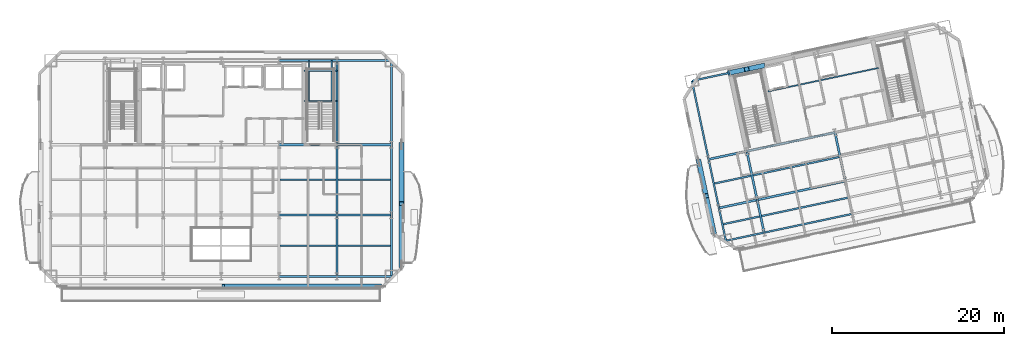
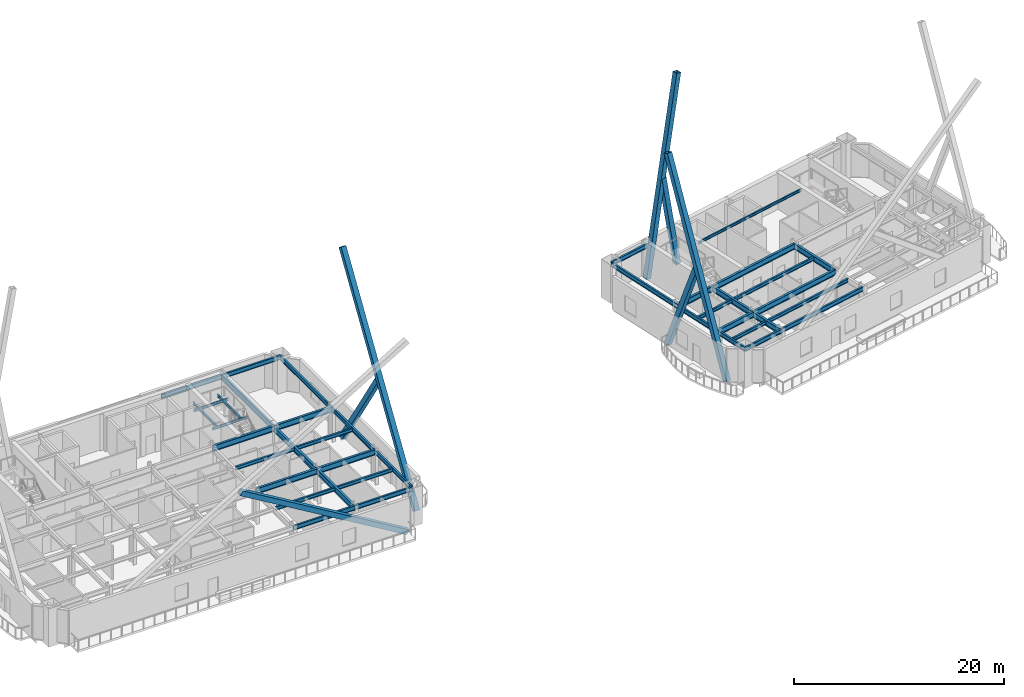
# One storey, part 5 of 22: 40 beams, 7 members.
"""IFC4 building model written with IfcOpenShell, lengths in metres."""

from ifc_helpers import new_model, si_unit, direction, frame, origin, origin_2d, place, context, subcontext, project, spatial, hollow_rectangle, i_section, extrude, material, material_profile, profile_set, type_object, element, save


model = new_model("IFC4")

# Units and contexts
model_context = context("Model", 3, precision=1e-05, world=origin(), true_north=direction((0.0, 1.0)))
body_context = subcontext(model_context, "Body", "Model", "MODEL_VIEW")
ifc_project = project(units=[si_unit("LENGTHUNIT", "METRE"), si_unit("AREAUNIT", "SQUARE_METRE"), si_unit("VOLUMEUNIT", "CUBIC_METRE"), si_unit("PLANEANGLEUNIT", "RADIAN"), si_unit("MASSUNIT", "GRAM", prefix="KILO")], contexts=[model_context])

# Site, building, storey
site_placement = place(None, origin())
site = spatial("IfcSite", under=ifc_project, at=site_placement, CompositionType="ELEMENT")
building_placement = place(site_placement, origin())
building = spatial("IfcBuilding", under=site, at=building_placement, Name="Haevon Station Towers", CompositionType="ELEMENT")
storey_placement = place(building_placement, frame((0.0, 0.0, 133.800048828125)))
storey = spatial("IfcBuildingStorey", under=building, at=storey_placement, Name="L36", CompositionType="ELEMENT", Elevation=133.800048828125)

# Beams
ifc_material_1 = material(Name="Steel S355", Category="steel")
ifc_material_profile_1 = material_profile(ifc_material_1, i_section(OverallWidth=0.25, OverallDepth=0.64990234375, WebThickness=0.012939453125, FlangeThickness=0.02197265625, at=origin_2d()), Name="H-650x250x13x22")
ifc_profile_set_1 = profile_set([ifc_material_profile_1], Name="Steel S355")
beam_type_1 = type_object("IfcBeamType", Name="BM-G650", PredefinedType="BEAM", material=ifc_profile_set_1)
beam_1_placement = place(storey_placement, frame((44.25, 30.0, 3.594970703125), z_axis=(1.0, 0.0, 0.0), x_axis=(0.0, 1.0, 0.0)))
element("IfcBeam", 1, at=beam_1_placement, inside=storey, type_object=beam_type_1, Name="BM-T1U-L36-02-05", PredefinedType="BEAM", context=body_context, shape_type="SweptSolid", body=[
    extrude(i_section(OverallWidth=0.25, OverallDepth=0.64990234375, WebThickness=0.012939453125, FlangeThickness=0.02197265625, at=origin_2d()), origin(), (0.0, 0.0, 1.0), 6.75),
])
beam_2_placement = place(storey_placement, frame((51.0, 30.0, 3.594970703125), z_axis=(1.0, 0.0, 0.0), x_axis=(0.0, 1.0, 0.0)))
element("IfcBeam", 2, at=beam_2_placement, inside=storey, type_object=beam_type_1, Name="BM-T1U-L36-02-06", PredefinedType="BEAM", context=body_context, shape_type="SweptSolid", body=[
    extrude(i_section(OverallWidth=0.25, OverallDepth=0.64990234375, WebThickness=0.012939453125, FlangeThickness=0.02197265625, at=origin_2d()), origin(), (0.0, 0.0, 1.0), 6.35009765625),
])
beam_3_placement = place(storey_placement, frame((44.25, 38.199951171875, 3.594970703125), z_axis=(1.0, 0.0, 0.0), x_axis=(0.0, 1.0, 0.0)))
element("IfcBeam", 3, at=beam_3_placement, inside=storey, type_object=beam_type_1, Name="BM-T1U-L36-03-05", PredefinedType="BEAM", context=body_context, shape_type="SweptSolid", body=[
    extrude(i_section(OverallWidth=0.25, OverallDepth=0.64990234375, WebThickness=0.012939453125, FlangeThickness=0.02197265625, at=origin_2d()), origin(), (0.0, 0.0, 1.0), 6.75),
])
beam_4_placement = place(storey_placement, frame((51.0, 38.199951171875, 3.594970703125), z_axis=(1.0, 0.0, 0.0), x_axis=(0.0, 1.0, 0.0)))
element("IfcBeam", 4, at=beam_4_placement, inside=storey, type_object=beam_type_1, Name="BM-T1U-L36-03-06", PredefinedType="BEAM", context=body_context, shape_type="SweptSolid", body=[
    extrude(i_section(OverallWidth=0.25, OverallDepth=0.64990234375, WebThickness=0.012939453125, FlangeThickness=0.02197265625, at=origin_2d()), origin(), (0.0, 0.0, 1.0), 6.35009765625),
])
beam_5_placement = place(storey_placement, frame((51.0, 22.85009765625, 3.594970703125), z_axis=(0.0, 1.0, 0.0), x_axis=(-1.0, 0.0, 0.0)))
element("IfcBeam", 5, at=beam_5_placement, inside=storey, type_object=beam_type_1, Name="BM-T1V-L36-06-01", PredefinedType="BEAM", context=body_context, shape_type="SweptSolid", body=[
    extrude(i_section(OverallWidth=0.25, OverallDepth=0.64990234375, WebThickness=0.012939453125, FlangeThickness=0.02197265625, at=origin_2d()), origin(), (0.0, 0.0, 1.0), 7.14990234375),
])
beam_6_placement = place(storey_placement, frame((51.0, 30.0, 3.594970703125), z_axis=(0.0, 1.0, 0.0), x_axis=(-1.0, 0.0, 0.0)))
element("IfcBeam", 6, at=beam_6_placement, inside=storey, type_object=beam_type_1, Name="BM-T1V-L36-06-02", PredefinedType="BEAM", context=body_context, shape_type="SweptSolid", body=[
    extrude(i_section(OverallWidth=0.25, OverallDepth=0.64990234375, WebThickness=0.012939453125, FlangeThickness=0.02197265625, at=origin_2d()), origin(), (0.0, 0.0, 1.0), 8.199951171875),
])
beam_7_placement = place(storey_placement, frame((51.0, 38.199951171875, 3.594970703125), z_axis=(0.0, 1.0, 0.0), x_axis=(-1.0, 0.0, 0.0)))
element("IfcBeam", 7, at=beam_7_placement, inside=storey, type_object=beam_type_1, Name="BM-T1V-L36-06-03", PredefinedType="BEAM", context=body_context, shape_type="SweptSolid", body=[
    extrude(i_section(OverallWidth=0.25, OverallDepth=0.64990234375, WebThickness=0.012939453125, FlangeThickness=0.02197265625, at=origin_2d()), origin(), (0.0, 0.0, 1.0), 9.800048828125),
])
beam_8_placement = place(storey_placement, frame((95.507568359375, 30.8232421875, 3.594970703125), z_axis=(0.978157487225, 0.207865173094, 0.0), x_axis=(-0.207865173094, 0.978157487225, 0.0)))
element("IfcBeam", 8, at=beam_8_placement, inside=storey, type_object=beam_type_1, Name="BM-T2U-L36-02-01", PredefinedType="BEAM", context=body_context, shape_type="SweptSolid", body=[
    extrude(i_section(OverallWidth=0.25, OverallDepth=0.64990234375, WebThickness=0.012939453125, FlangeThickness=0.02197265625, at=origin_2d()), origin(), (0.0, 0.0, 1.0), 4.550048828125),
])
beam_9_placement = place(storey_placement, frame((99.958251953125, 31.76904296875, 3.594970703125), z_axis=(0.978146794194, 0.207915485254, 0.0), x_axis=(-0.207915485254, 0.978146794194, 0.0)))
element("IfcBeam", 9, at=beam_9_placement, inside=storey, type_object=beam_type_1, Name="BM-T2U-L36-02-02", PredefinedType="BEAM", context=body_context, shape_type="SweptSolid", body=[
    extrude(i_section(OverallWidth=0.25, OverallDepth=0.64990234375, WebThickness=0.012939453125, FlangeThickness=0.02197265625, at=origin_2d()), origin(), (0.0, 0.0, 1.0), 10.5),
])
beam_10_placement = place(storey_placement, frame((94.3017578125, 36.496337890625, 3.594970703125), z_axis=(0.978146576304, 0.207916510322, 0.0), x_axis=(-0.207916510322, 0.978146576304, 0.0)))
element("IfcBeam", 10, at=beam_10_placement, inside=storey, type_object=beam_type_1, Name="BM-T2U-L36-03-01", PredefinedType="BEAM", context=body_context, shape_type="SweptSolid", body=[
    extrude(i_section(OverallWidth=0.25, OverallDepth=0.64990234375, WebThickness=0.012939453125, FlangeThickness=0.02197265625, at=origin_2d()), origin(), (0.0, 0.0, 1.0), 4.550048828125),
])
beam_11_placement = place(storey_placement, frame((98.75244140625, 37.4423828125, 3.594970703125), z_axis=(0.978146794194, 0.207915485254, 0.0), x_axis=(-0.207915485254, 0.978146794194, 0.0)))
element("IfcBeam", 11, at=beam_11_placement, inside=storey, type_object=beam_type_1, Name="BM-T2U-L36-03-02", PredefinedType="BEAM", context=body_context, shape_type="SweptSolid", body=[
    extrude(i_section(OverallWidth=0.25, OverallDepth=0.64990234375, WebThickness=0.012939453125, FlangeThickness=0.02197265625, at=origin_2d()), origin(), (0.0, 0.0, 1.0), 10.5),
])
beam_12_placement = place(storey_placement, frame((100.76904296875, 27.954345703125, 3.594970703125), z_axis=(-0.207899934746, 0.97815009949, 0.0), x_axis=(-0.97815009949, -0.207899934746, 0.0)))
element("IfcBeam", 12, at=beam_12_placement, inside=storey, type_object=beam_type_1, Name="BM-T2V-L36-02-01", PredefinedType="BEAM", context=body_context, shape_type="SweptSolid", body=[
    extrude(i_section(OverallWidth=0.25, OverallDepth=0.64990234375, WebThickness=0.012939453125, FlangeThickness=0.02197265625, at=origin_2d()), origin(), (0.0, 0.0, 1.0), 3.89990234375),
])
for number, where, z_axis, x_axis, name in (
    (13, (99.958251953125, 31.76904296875, 3.594970703125), (-0.207896009217, 0.97815093383, 0.0), (-0.97815093383, -0.207896009217, 0.0), "BM-T2V-L36-02-02"),
    (14, (110.228759765625, 33.9521484375, 3.594970703125), (-0.207896009217, 0.97815093383, 0.0), (-0.97815093383, -0.207896009217, 0.0), "BM-T2V-L36-03-02"),
):
    element("IfcBeam", number, at=place(storey_placement, frame(where, z_axis=z_axis, x_axis=x_axis)), inside=storey, type_object=beam_type_1, Name=name, PredefinedType="BEAM", context=body_context, shape_type="SweptSolid", body=[
        extrude(i_section(OverallWidth=0.25, OverallDepth=0.64990234375, WebThickness=0.012939453125, FlangeThickness=0.02197265625, at=origin_2d()), origin(), (0.0, 0.0, 1.0), 5.800048828125),
    ])
ifc_material_profile_2 = material_profile(ifc_material_1, i_section(OverallWidth=0.199951171875, OverallDepth=0.39990234375, WebThickness=0.008056640625, FlangeThickness=0.012939453125, at=origin_2d()), Name="H-400x200x8x13")
ifc_profile_set_2 = profile_set([ifc_material_profile_2], Name="Steel S355")
beam_type_2 = type_object("IfcBeamType", Name="BM-J400", PredefinedType="JOIST", material=ifc_profile_set_2)
beam_13_placement = place(storey_placement, frame((44.360107421875, 26.425048828125, 3.719970703125), z_axis=(1.0, 0.0, 0.0), x_axis=(0.0, 1.0, 0.0)))
element("IfcBeam", 15, at=beam_13_placement, inside=storey, type_object=beam_type_2, Name="BM-T1J-L36-01-05", PredefinedType="JOIST", context=body_context, shape_type="SweptSolid", body=[
    extrude(i_section(OverallWidth=0.199951171875, OverallDepth=0.39990234375, WebThickness=0.008056640625, FlangeThickness=0.012939453125, at=origin_2d()), origin(), (0.0, 0.0, 1.0), 6.52978515625),
])
beam_14_placement = place(storey_placement, frame((51.110107421875, 26.425048828125, 3.719970703125), z_axis=(1.0, 0.0, 0.0), x_axis=(0.0, 1.0, 0.0)))
element("IfcBeam", 16, at=beam_14_placement, inside=storey, type_object=beam_type_2, Name="BM-T1J-L36-01-06", PredefinedType="JOIST", context=body_context, shape_type="SweptSolid", body=[
    extrude(i_section(OverallWidth=0.199951171875, OverallDepth=0.39990234375, WebThickness=0.008056640625, FlangeThickness=0.012939453125, at=origin_2d()), origin(), (0.0, 0.0, 1.0), 6.1298828125),
])
beam_15_placement = place(storey_placement, frame((44.360107421875, 34.10009765625, 3.719970703125), z_axis=(1.0, 0.0, 0.0), x_axis=(0.0, 1.0, 0.0)))
element("IfcBeam", 17, at=beam_15_placement, inside=storey, type_object=beam_type_2, Name="BM-T1J-L36-02-05", PredefinedType="JOIST", context=body_context, shape_type="SweptSolid", body=[
    extrude(i_section(OverallWidth=0.199951171875, OverallDepth=0.39990234375, WebThickness=0.008056640625, FlangeThickness=0.012939453125, at=origin_2d()), origin(), (0.0, 0.0, 1.0), 6.52978515625),
])
beam_16_placement = place(storey_placement, frame((51.110107421875, 34.10009765625, 3.719970703125), z_axis=(1.0, 0.0, 0.0), x_axis=(0.0, 1.0, 0.0)))
element("IfcBeam", 18, at=beam_16_placement, inside=storey, type_object=beam_type_2, Name="BM-T1J-L36-02-06", PredefinedType="JOIST", context=body_context, shape_type="SweptSolid", body=[
    extrude(i_section(OverallWidth=0.199951171875, OverallDepth=0.39990234375, WebThickness=0.008056640625, FlangeThickness=0.012939453125, at=origin_2d()), origin(), (0.0, 0.0, 1.0), 6.1298828125),
])
beam_17_placement = place(storey_placement, frame((96.020751953125, 28.938720703125, 3.719970703125), z_axis=(0.978152545287, 0.207888427166, 0.0), x_axis=(-0.207888427166, 0.978152545287, 0.0)))
element("IfcBeam", 19, at=beam_17_placement, inside=storey, type_object=beam_type_2, Name="BM-T2J-L36-01-01", PredefinedType="JOIST", context=body_context, shape_type="SweptSolid", body=[
    extrude(i_section(OverallWidth=0.199951171875, OverallDepth=0.39990234375, WebThickness=0.008056640625, FlangeThickness=0.012939453125, at=origin_2d()), origin(), (0.0, 0.0, 1.0), 4.329833984375),
])
beam_18_placement = place(storey_placement, frame((100.47119140625, 29.884521484375, 3.719970703125), z_axis=(0.978145509903, 0.207921527161, 0.0), x_axis=(-0.207921527161, 0.978145509903, 0.0)))
element("IfcBeam", 20, at=beam_18_placement, inside=storey, type_object=beam_type_2, Name="BM-T2J-L36-01-02", PredefinedType="JOIST", context=body_context, shape_type="SweptSolid", body=[
    extrude(i_section(OverallWidth=0.199951171875, OverallDepth=0.39990234375, WebThickness=0.008056640625, FlangeThickness=0.012939453125, at=origin_2d()), origin(), (0.0, 0.0, 1.0), 10.280029296875),
])
beam_19_placement = place(storey_placement, frame((95.01220703125, 33.6826171875, 3.719970703125), z_axis=(0.978143516228, 0.20793090598, 0.0), x_axis=(-0.20793090598, 0.978143516228, 0.0)))
element("IfcBeam", 21, at=beam_19_placement, inside=storey, type_object=beam_type_2, Name="BM-T2J-L36-02-01", PredefinedType="JOIST", context=body_context, shape_type="SweptSolid", body=[
    extrude(i_section(OverallWidth=0.199951171875, OverallDepth=0.39990234375, WebThickness=0.008056640625, FlangeThickness=0.012939453125, at=origin_2d()), origin(), (0.0, 0.0, 1.0), 4.330322265625),
])
beam_20_placement = place(storey_placement, frame((99.462890625, 34.628662109375, 3.719970703125), z_axis=(0.978150339653, 0.207898804801, 0.0), x_axis=(-0.207898804801, 0.978150339653, 0.0)))
element("IfcBeam", 22, at=beam_20_placement, inside=storey, type_object=beam_type_2, Name="BM-T2J-L36-02-02", PredefinedType="JOIST", context=body_context, shape_type="SweptSolid", body=[
    extrude(i_section(OverallWidth=0.199951171875, OverallDepth=0.39990234375, WebThickness=0.008056640625, FlangeThickness=0.012939453125, at=origin_2d()), origin(), (0.0, 0.0, 1.0), 10.280029296875),
])
ifc_material_profile_3 = material_profile(ifc_material_1, i_section(OverallWidth=0.14990234375, OverallDepth=0.300048828125, WebThickness=0.006591796875, FlangeThickness=0.009033203125, at=origin_2d()), Name="H-300x150x6.5x9")
ifc_profile_set_3 = profile_set([ifc_material_profile_3], Name="Steel S355")
beam_type_3 = type_object("IfcBeamType", Name="BM-LIN300", PredefinedType="LINTEL", material=ifc_profile_set_3)
for number, where, z_axis, x_axis, name in (
    (23, (47.14990234375, 43.303955078125, 1.75), (1.0, 0.0, 0.0), (0.0, 1.0, 0.0), "BM-ST2L-L36-1-S"),
    (24, (47.14990234375, 46.820068359375, 1.75), (1.0, 0.0, 0.0), (0.0, 1.0, 0.0), "BM-ST2L-L36-1-N"),
):
    element("IfcBeam", number, at=place(storey_placement, frame(where, z_axis=z_axis, x_axis=x_axis)), inside=storey, type_object=beam_type_3, Name=name, PredefinedType="LINTEL", context=body_context, shape_type="SweptSolid", body=[
        extrude(i_section(OverallWidth=0.14990234375, OverallDepth=0.300048828125, WebThickness=0.006591796875, FlangeThickness=0.009033203125, at=origin_2d()), origin(), (0.0, 0.0, 1.0), 3.85009765625),
    ])
for number, where, z_axis, x_axis, name in (
    (25, (47.75, 43.303955078125, 1.75), (0.0, 1.0, 0.0), (-1.0, 0.0, 0.0), "BM-ST2L-L36-1-W"),
    (26, (50.39990234375, 43.303955078125, 1.75), (0.0, 1.0, 0.0), (-1.0, 0.0, 0.0), "BM-ST2L-L36-1-E"),
):
    element("IfcBeam", number, at=place(storey_placement, frame(where, z_axis=z_axis, x_axis=x_axis)), inside=storey, type_object=beam_type_3, Name=name, PredefinedType="LINTEL", context=body_context, shape_type="SweptSolid", body=[
        extrude(i_section(OverallWidth=0.14990234375, OverallDepth=0.300048828125, WebThickness=0.006591796875, FlangeThickness=0.009033203125, at=origin_2d()), origin(), (0.0, 0.0, 1.0), 4.696044921875),
    ])
beam_21_placement = place(storey_placement, frame((101.20849609375, 44.4052734375, 3.77001953125), z_axis=(0.978147802964, 0.207910739399, 0.0), x_axis=(-0.207910739399, 0.978147802964, 0.0)))
element("IfcBeam", 27, at=beam_21_placement, inside=storey, type_object=beam_type_3, Name="BM-T2LIN-L36", PredefinedType="LINTEL", context=body_context, shape_type="SweptSolid", body=[
    extrude(i_section(OverallWidth=0.14990234375, OverallDepth=0.300048828125, WebThickness=0.006591796875, FlangeThickness=0.009033203125, at=origin_2d()), origin(), (0.0, 0.0, 1.0), 13.19970703125),
])
ifc_material_profile_4 = material_profile(ifc_material_1, i_section(OverallWidth=0.199951171875, OverallDepth=0.5, WebThickness=0.010009765625, FlangeThickness=0.01611328125, at=origin_2d()), Name="H-500x200x10x16")
ifc_profile_set_4 = profile_set([ifc_material_profile_4], Name="Steel S355")
beam_type_4 = type_object("IfcBeamType", Name="BM-SP500", PredefinedType="SPANDREL", material=ifc_profile_set_4)
beam_22_placement = place(storey_placement, frame((44.25, 22.85009765625, 3.669921875), z_axis=(1.0, 0.0, 0.0), x_axis=(0.0, 1.0, 0.0)))
element("IfcBeam", 28, at=beam_22_placement, inside=storey, type_object=beam_type_4, Name="BM-T1U-L36-01-05", PredefinedType="SPANDREL", context=body_context, shape_type="SweptSolid", body=[
    extrude(i_section(OverallWidth=0.199951171875, OverallDepth=0.5, WebThickness=0.010009765625, FlangeThickness=0.01611328125, at=origin_2d()), origin(), (0.0, 0.0, 1.0), 6.75),
])
beam_23_placement = place(storey_placement, frame((51.0, 22.85009765625, 3.669921875), z_axis=(1.0, 0.0, 0.0), x_axis=(0.0, 1.0, 0.0)))
element("IfcBeam", 29, at=beam_23_placement, inside=storey, type_object=beam_type_4, Name="BM-T1U-L36-01-06", PredefinedType="SPANDREL", context=body_context, shape_type="SweptSolid", body=[
    extrude(i_section(OverallWidth=0.199951171875, OverallDepth=0.5, WebThickness=0.010009765625, FlangeThickness=0.01611328125, at=origin_2d()), origin(), (0.0, 0.0, 1.0), 6.35009765625),
])
beam_24_placement = place(storey_placement, frame((44.25, 48.0, 3.669921875), z_axis=(1.0, 0.0, 0.0), x_axis=(0.0, 1.0, 0.0)))
element("IfcBeam", 30, at=beam_24_placement, inside=storey, type_object=beam_type_4, Name="BM-T1U-L36-04-05", PredefinedType="SPANDREL", context=body_context, shape_type="SweptSolid", body=[
    extrude(i_section(OverallWidth=0.199951171875, OverallDepth=0.5, WebThickness=0.010009765625, FlangeThickness=0.01611328125, at=origin_2d()), origin(), (0.0, 0.0, 1.0), 6.75),
])
beam_25_placement = place(storey_placement, frame((51.0, 48.0, 3.669921875), z_axis=(1.0, 0.0, 0.0), x_axis=(0.0, 1.0, 0.0)))
element("IfcBeam", 31, at=beam_25_placement, inside=storey, type_object=beam_type_4, Name="BM-T1U-L36-04-06", PredefinedType="SPANDREL", context=body_context, shape_type="SweptSolid", body=[
    extrude(i_section(OverallWidth=0.199951171875, OverallDepth=0.5, WebThickness=0.010009765625, FlangeThickness=0.01611328125, at=origin_2d()), origin(), (0.0, 0.0, 1.0), 6.35009765625),
])
beam_26_placement = place(storey_placement, frame((57.35009765625, 22.85009765625, 3.669921875), z_axis=(0.0, 1.0, 0.0), x_axis=(-1.0, 0.0, 0.0)))
element("IfcBeam", 32, at=beam_26_placement, inside=storey, type_object=beam_type_4, Name="BM-T1V-L36-07-01", PredefinedType="SPANDREL", context=body_context, shape_type="SweptSolid", body=[
    extrude(i_section(OverallWidth=0.199951171875, OverallDepth=0.5, WebThickness=0.010009765625, FlangeThickness=0.01611328125, at=origin_2d()), origin(), (0.0, 0.0, 1.0), 7.14990234375),
])
beam_27_placement = place(storey_placement, frame((57.35009765625, 30.0, 3.669921875), z_axis=(0.0, 1.0, 0.0), x_axis=(-1.0, 0.0, 0.0)))
element("IfcBeam", 33, at=beam_27_placement, inside=storey, type_object=beam_type_4, Name="BM-T1V-L36-07-02", PredefinedType="SPANDREL", context=body_context, shape_type="SweptSolid", body=[
    extrude(i_section(OverallWidth=0.199951171875, OverallDepth=0.5, WebThickness=0.010009765625, FlangeThickness=0.01611328125, at=origin_2d()), origin(), (0.0, 0.0, 1.0), 8.199951171875),
])
beam_28_placement = place(storey_placement, frame((57.35009765625, 38.199951171875, 3.669921875), z_axis=(0.0, 1.0, 0.0), x_axis=(-1.0, 0.0, 0.0)))
element("IfcBeam", 34, at=beam_28_placement, inside=storey, type_object=beam_type_4, Name="BM-T1V-L36-07-03", PredefinedType="SPANDREL", context=body_context, shape_type="SweptSolid", body=[
    extrude(i_section(OverallWidth=0.199951171875, OverallDepth=0.5, WebThickness=0.010009765625, FlangeThickness=0.01611328125, at=origin_2d()), origin(), (0.0, 0.0, 1.0), 9.800048828125),
])
beam_29_placement = place(storey_placement, frame((96.318603515625, 27.00830078125, 3.669921875), z_axis=(0.978144256617, 0.207927423029, 0.0), x_axis=(-0.207927423029, 0.978144256617, 0.0)))
element("IfcBeam", 35, at=beam_29_placement, inside=storey, type_object=beam_type_4, Name="BM-T2U-L36-01-01", PredefinedType="SPANDREL", context=body_context, shape_type="SweptSolid", body=[
    extrude(i_section(OverallWidth=0.199951171875, OverallDepth=0.5, WebThickness=0.010009765625, FlangeThickness=0.01611328125, at=origin_2d()), origin(), (0.0, 0.0, 1.0), 4.5498046875),
])
beam_30_placement = place(storey_placement, frame((100.76904296875, 27.954345703125, 3.669921875), z_axis=(0.978146794194, 0.207915485254, 0.0), x_axis=(-0.207915485254, 0.978146794194, 0.0)))
element("IfcBeam", 36, at=beam_30_placement, inside=storey, type_object=beam_type_4, Name="BM-T2U-L36-01-02", PredefinedType="SPANDREL", context=body_context, shape_type="SweptSolid", body=[
    extrude(i_section(OverallWidth=0.199951171875, OverallDepth=0.5, WebThickness=0.010009765625, FlangeThickness=0.01611328125, at=origin_2d()), origin(), (0.0, 0.0, 1.0), 10.5),
])
beam_31_placement = place(storey_placement, frame((92.35791015625, 45.64208984375, 3.669921875), z_axis=(0.978144256617, 0.207927423029, 0.0), x_axis=(-0.207927423029, 0.978144256617, 0.0)))
element("IfcBeam", 37, at=beam_31_placement, inside=storey, type_object=beam_type_4, Name="BM-T2U-L36-04-01", PredefinedType="SPANDREL", context=body_context, shape_type="SweptSolid", body=[
    extrude(i_section(OverallWidth=0.199951171875, OverallDepth=0.5, WebThickness=0.010009765625, FlangeThickness=0.01611328125, at=origin_2d()), origin(), (0.0, 0.0, 1.0), 4.5498046875),
])
beam_32_placement = place(storey_placement, frame((96.318603515625, 27.00830078125, 3.669921875), z_axis=(-0.207947096322, 0.978140074392, 0.0), x_axis=(-0.978140074392, -0.207947096322, 0.0)))
element("IfcBeam", 38, at=beam_32_placement, inside=storey, type_object=beam_type_4, Name="BM-T2V-L36-01-01", PredefinedType="SPANDREL", context=body_context, shape_type="SweptSolid", body=[
    extrude(i_section(OverallWidth=0.199951171875, OverallDepth=0.5, WebThickness=0.010009765625, FlangeThickness=0.01611328125, at=origin_2d()), origin(), (0.0, 0.0, 1.0), 3.900146484375),
])
beam_33_placement = place(storey_placement, frame((95.507568359375, 30.8232421875, 3.669921875), z_axis=(-0.207904569273, 0.978149114438, 0.0), x_axis=(-0.978149114438, -0.207904569273, 0.0)))
element("IfcBeam", 39, at=beam_33_placement, inside=storey, type_object=beam_type_4, Name="BM-T2V-L36-01-02", PredefinedType="SPANDREL", context=body_context, shape_type="SweptSolid", body=[
    extrude(i_section(OverallWidth=0.199951171875, OverallDepth=0.5, WebThickness=0.010009765625, FlangeThickness=0.01611328125, at=origin_2d()), origin(), (0.0, 0.0, 1.0), 5.7998046875),
])
beam_34_placement = place(storey_placement, frame((94.3017578125, 36.496337890625, 3.669921875), z_axis=(-0.207897167074, 0.978150687738, 0.0), x_axis=(-0.978150687738, -0.207897167074, 0.0)))
element("IfcBeam", 40, at=beam_34_placement, inside=storey, type_object=beam_type_4, Name="BM-T2V-L36-01-03", PredefinedType="SPANDREL", context=body_context, shape_type="SweptSolid", body=[
    extrude(i_section(OverallWidth=0.199951171875, OverallDepth=0.5, WebThickness=0.010009765625, FlangeThickness=0.01611328125, at=origin_2d()), origin(), (0.0, 0.0, 1.0), 9.35009765625),
])

# Members
ifc_material_2 = material(Name="Steel S460", Category="steel")
ifc_material_profile_5 = material_profile(ifc_material_2, hollow_rectangle(XDim=0.550048828125, YDim=0.550048828125, WallThickness=0.028076171875, at=origin_2d()), Name="RHS-550x550x28")
ifc_profile_set_5 = profile_set([ifc_material_profile_5], Name="Steel S460")
member_type = type_object("IfcMemberType", Name="MB-550", PredefinedType="BRACE", material=ifc_profile_set_5)
member_1_placement = place(storey_placement, frame((56.050048828125, 21.679931640625, -0.1201171875), z_axis=(-0.858411912911, 0.0, 0.512961000245), x_axis=(0.0, -1.0, 0.0)))
element("IfcMember", 41, at=member_1_placement, inside=storey, type_object=member_type, Name="BR-T1MB-T05-S-D2A", PredefinedType="BRACE", context=body_context, shape_type="SweptSolid", body=[
    extrude(hollow_rectangle(XDim=0.550048828125, YDim=0.550048828125, WallThickness=0.028076171875, at=origin_2d()), origin(), (0.0, 0.0, 1.0), 21.32275390625),
])
member_2_placement = place(storey_placement, frame((58.52001953125, 24.14990234375, -0.1201171875), z_axis=(0.0, 0.535295256721, 0.844665015336), x_axis=(-1.0, 0.0, 0.0)))
element("IfcMember", 42, at=member_2_placement, inside=storey, type_object=member_type, Name="BR-T1MB-T05-E-D1", PredefinedType="BRACE", context=body_context, shape_type="SweptSolid", body=[
    extrude(hollow_rectangle(XDim=0.550048828125, YDim=0.550048828125, WallThickness=0.028076171875, at=origin_2d()), origin(), (0.0, 0.0, 1.0), 26.247314453125),
])
member_3_placement = place(storey_placement, frame((58.52001953125, 38.199951171875, -0.1201171875), z_axis=(0.0, -0.535296850525, 0.844664005282), x_axis=(1.0, 0.0, 0.0)))
element("IfcMember", 43, at=member_3_placement, inside=storey, type_object=member_type, Name="BR-T1MB-T05-E-D2A", PredefinedType="BRACE", context=body_context, shape_type="SweptSolid", body=[
    extrude(hollow_rectangle(XDim=0.550048828125, YDim=0.550048828125, WallThickness=0.028076171875, at=origin_2d()), origin(), (0.0, 0.0, 1.0), 12.83642578125),
])
member_4_placement = place(storey_placement, frame((96.808349609375, 46.588134765625, -0.1201171875), z_axis=(0.167357269522, 0.035576303842, 0.985254216405), x_axis=(-0.207930804564, 0.978143537786, 0.0)))
element("IfcMember", 44, at=member_4_placement, inside=storey, type_object=member_type, Name="BR-T2MB-T05-N-D1", PredefinedType="BRACE", context=body_context, shape_type="SweptSolid", body=[
    extrude(hollow_rectangle(XDim=0.550048828125, YDim=0.550048828125, WallThickness=0.028076171875, at=origin_2d()), origin(), (0.0, 0.0, 1.0), 22.501953125),
])
member_5_placement = place(storey_placement, frame((100.57421875, 47.388671875, -0.1201171875), z_axis=(-0.167363397222, -0.035583649383, 0.985252910256), x_axis=(0.207964594726, -0.978136354166, 0.0)))
element("IfcMember", 45, at=member_5_placement, inside=storey, type_object=member_type, Name="BR-T2MB-T05-N-D2A", PredefinedType="BRACE", context=body_context, shape_type="SweptSolid", body=[
    extrude(hollow_rectangle(XDim=0.550048828125, YDim=0.550048828125, WallThickness=0.028076171875, at=origin_2d()), origin(), (0.0, 0.0, 1.0), 10.9638671875),
])
member_6_placement = place(storey_placement, frame((94.90380859375, 28.03662109375, -0.1201171875), z_axis=(-0.073669968179, 0.346570139651, 0.935126662058), x_axis=(-0.978145183693, -0.207923061778, 0.0)))
element("IfcMember", 46, at=member_6_placement, inside=storey, type_object=member_type, Name="BR-T2MB-T05-W-D1", PredefinedType="BRACE", context=body_context, shape_type="SweptSolid", body=[
    extrude(hollow_rectangle(XDim=0.550048828125, YDim=0.550048828125, WallThickness=0.028076171875, at=origin_2d()), origin(), (0.0, 0.0, 1.0), 23.708251953125),
])
member_7_placement = place(storey_placement, frame((93.1572265625, 36.253173828125, -0.1201171875), z_axis=(0.073682976964, -0.346569602334, 0.935125836261), x_axis=(0.978137650385, 0.20795849802, 0.0)))
element("IfcMember", 47, at=member_7_placement, inside=storey, type_object=member_type, Name="BR-T2MB-T05-W-D2A", PredefinedType="BRACE", context=body_context, shape_type="SweptSolid", body=[
    extrude(hollow_rectangle(XDim=0.550048828125, YDim=0.550048828125, WallThickness=0.028076171875, at=origin_2d()), origin(), (0.0, 0.0, 1.0), 11.567138671875),
])

save(model, "model.ifc")
